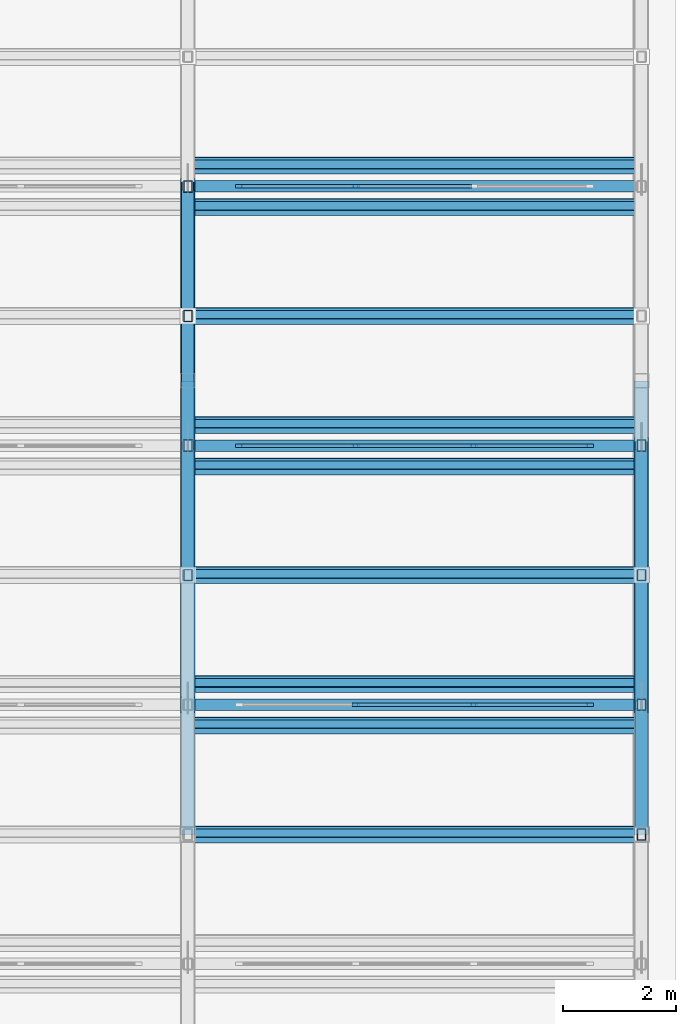
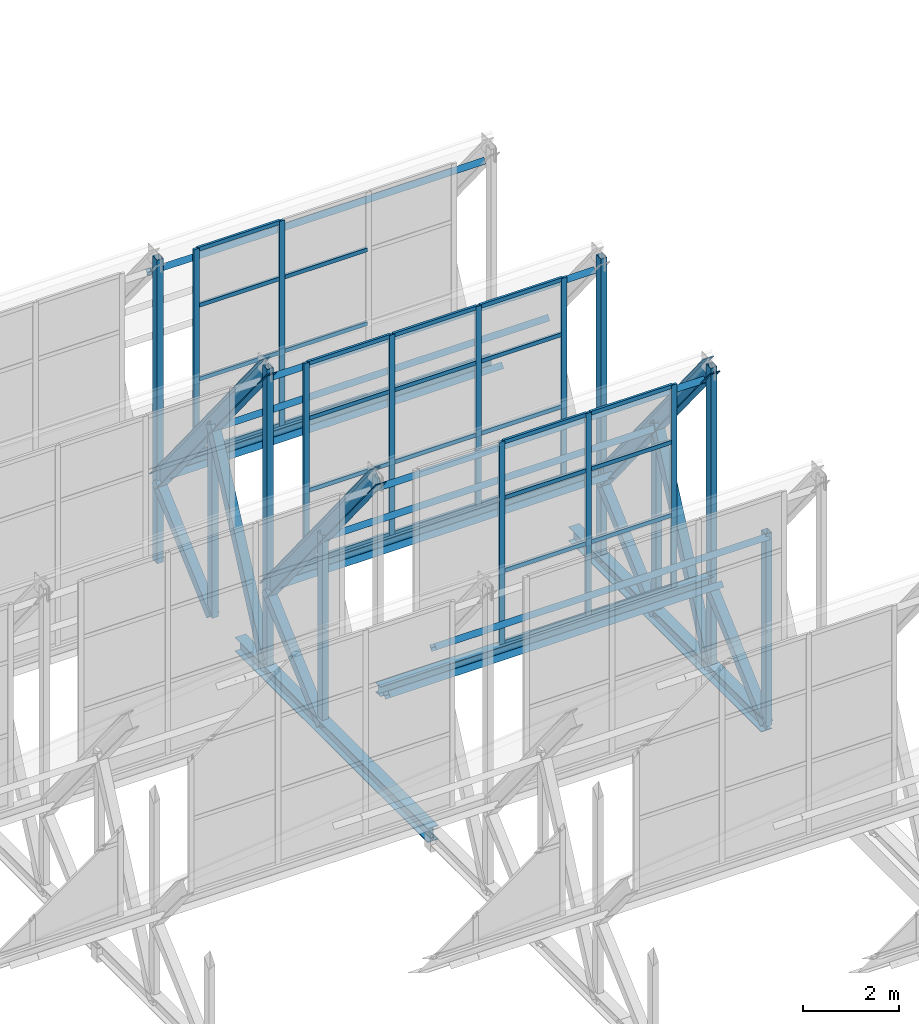
# One storey, part 21 of 34: 62 members, 5 beams, 3 elements without a shape of their own.
"""IFC4 building model written with IfcOpenShell, lengths in metres."""

from ifc_helpers import new_model, si_unit, direction, frame, origin, origin_2d, place, context, subcontext, project, spatial, rectangle, hollow_rectangle, i_section, extrude, material, layer, layer_set, material_profile, profile_set, type_object, element, aggregate, save


model = new_model("IFC4")

# Units and contexts
model_context = context("Model", 3, precision=1e-05, world=origin(), true_north=direction((0.0, 1.0)))
body_context = subcontext(model_context, "Body", "Model", "MODEL_VIEW")
ifc_project = project(units=[si_unit("LENGTHUNIT", "METRE"), si_unit("AREAUNIT", "SQUARE_METRE"), si_unit("VOLUMEUNIT", "CUBIC_METRE"), si_unit("PLANEANGLEUNIT", "RADIAN"), si_unit("MASSUNIT", "GRAM", prefix="KILO")], contexts=[model_context])

# Site, building, storey
site_placement = place(None, origin())
site = spatial("IfcSite", under=ifc_project, at=site_placement, CompositionType="ELEMENT")
building_placement = place(site_placement, origin())
building = spatial("IfcBuilding", under=site, at=building_placement, Name="Qorikala Patio Media Centre", CompositionType="ELEMENT")
storey_placement = place(building_placement, frame((0.0, 0.0, 32.699951171875)))
storey = spatial("IfcBuildingStorey", under=building, at=storey_placement, Name="RF", CompositionType="ELEMENT", Elevation=32.699951171875)

# Members
ifc_material_1 = material(Name="Steel S355", Category="steel")
ifc_material_profile_1 = material_profile(ifc_material_1, hollow_rectangle(XDim=0.219970703125, YDim=0.219970703125, WallThickness=0.010009765625, at=origin_2d()), Name="HSS220X220X10")
ifc_profile_set_1 = profile_set([ifc_material_profile_1], Name="Steel S355")
member_type_1 = type_object("IfcMemberType", Name="BRACE-HSS220", PredefinedType="BRACE", material=ifc_profile_set_1)
member_1_placement = place(storey_placement, frame((35.0, 23.5712890625, 0.35009765625), z_axis=(0.0, 0.744467225167, 0.667659007767), x_axis=(-1.0, 0.0, 0.0)))
element("IfcMember", 1, at=member_1_placement, inside=storey, type_object=member_type_1, Name="SAW-V1 Truss 5 Bay 5 Web Diagonal 2", PredefinedType="BRACE", context=body_context, shape_type="SweptSolid", body=[
    extrude(hollow_rectangle(XDim=0.219970703125, YDim=0.219970703125, WallThickness=0.010009765625, at=origin_2d()), origin(), (0.0, 0.0, 1.0), 3.070556640625),
])
member_2_placement = place(storey_placement, frame((35.0, 25.857177734375, 0.35009765625), z_axis=(0.0, 0.424508225487, 0.905424081022), x_axis=(-1.0, 0.0, 0.0)))
element("IfcMember", 2, at=member_2_placement, inside=storey, type_object=member_type_1, Name="SAW-V1 Truss 5 Bay 6 Web Diagonal 1", PredefinedType="BRACE", context=body_context, shape_type="SweptSolid", body=[
    extrude(hollow_rectangle(XDim=0.219970703125, YDim=0.219970703125, WallThickness=0.010009765625, at=origin_2d()), origin(), (0.0, 0.0, 1.0), 5.38427734375),
])
for number, where, z_axis, x_axis, name in (
    (3, (35.0, 28.142822265625, 0.35009765625), (0.0, 0.744431778243, 0.667698530432), (-1.0, 0.0, 0.0), "SAW-V1 Truss 5 Bay 6 Web Diagonal 2"),
    (4, (43.0, 19.0, 0.35009765625), (0.0, 0.744431778243, 0.667698530432), (-1.0, 0.0, 0.0), "SAW-V1 Truss 6 Bay 4 Web Diagonal 2"),
):
    element("IfcMember", number, at=place(storey_placement, frame(where, z_axis=z_axis, x_axis=x_axis)), inside=storey, type_object=member_type_1, Name=name, PredefinedType="BRACE", context=body_context, shape_type="SweptSolid", body=[
        extrude(hollow_rectangle(XDim=0.219970703125, YDim=0.219970703125, WallThickness=0.010009765625, at=origin_2d()), origin(), (0.0, 0.0, 1.0), 3.0703125),
    ])
member_3_placement = place(storey_placement, frame((43.0, 21.28564453125, 0.35009765625), z_axis=(0.0, 0.424508225487, 0.905424081022), x_axis=(-1.0, 0.0, 0.0)))
element("IfcMember", 5, at=member_3_placement, inside=storey, type_object=member_type_1, Name="SAW-V1 Truss 6 Bay 5 Web Diagonal 1", PredefinedType="BRACE", context=body_context, shape_type="SweptSolid", body=[
    extrude(hollow_rectangle(XDim=0.219970703125, YDim=0.219970703125, WallThickness=0.010009765625, at=origin_2d()), origin(), (0.0, 0.0, 1.0), 5.38427734375),
])
member_4_placement = place(storey_placement, frame((43.0, 23.5712890625, 0.35009765625), z_axis=(0.0, 0.744467225167, 0.667659007767), x_axis=(-1.0, 0.0, 0.0)))
element("IfcMember", 6, at=member_4_placement, inside=storey, type_object=member_type_1, Name="SAW-V1 Truss 6 Bay 5 Web Diagonal 2", PredefinedType="BRACE", context=body_context, shape_type="SweptSolid", body=[
    extrude(hollow_rectangle(XDim=0.219970703125, YDim=0.219970703125, WallThickness=0.010009765625, at=origin_2d()), origin(), (0.0, 0.0, 1.0), 3.070556640625),
])
ifc_material_profile_2 = material_profile(ifc_material_1, i_section(OverallWidth=0.257080078125, OverallDepth=0.363037109375, WebThickness=0.012939453125, FlangeThickness=0.021728515625, at=origin_2d()), Name="W360X122")
ifc_profile_set_2 = profile_set([ifc_material_profile_2], Name="Steel S355")
member_type_2 = type_object("IfcMemberType", Name="CHORD-W360X122", PredefinedType="CHORD", material=ifc_profile_set_2)
member_5_placement = place(storey_placement, frame((35.0, 21.28564453125, 8.050048828125), z_axis=(0.0, 0.629015570493, -0.777392701327), x_axis=(-1.0, 0.0, 0.0)))
element("IfcMember", 7, at=member_5_placement, inside=storey, type_object=member_type_2, Name="SAW-V1 Truss 5 Bay 5 Sloped Top Chord", PredefinedType="CHORD", context=body_context, shape_type="SweptSolid", body=[
    extrude(i_section(OverallWidth=0.257080078125, OverallDepth=0.363037109375, WebThickness=0.012939453125, FlangeThickness=0.021728515625, at=origin_2d()), origin(), (0.0, 0.0, 1.0), 7.267822265625),
])
member_6_placement = place(storey_placement, frame((35.0, 25.857177734375, 8.050048828125), z_axis=(0.0, 0.628995268707, -0.777409127773), x_axis=(-1.0, 0.0, 0.0)))
element("IfcMember", 8, at=member_6_placement, inside=storey, type_object=member_type_2, Name="SAW-V1 Truss 5 Bay 6 Sloped Top Chord", PredefinedType="CHORD", context=body_context, shape_type="SweptSolid", body=[
    extrude(i_section(OverallWidth=0.257080078125, OverallDepth=0.363037109375, WebThickness=0.012939453125, FlangeThickness=0.021728515625, at=origin_2d()), origin(), (0.0, 0.0, 1.0), 7.267578125),
])
member_7_placement = place(storey_placement, frame((43.0, 21.28564453125, 8.050048828125), z_axis=(0.0, 0.629015570493, -0.777392701327), x_axis=(-1.0, 0.0, 0.0)))
element("IfcMember", 9, at=member_7_placement, inside=storey, type_object=member_type_2, Name="SAW-V1 Truss 6 Bay 5 Sloped Top Chord", PredefinedType="CHORD", context=body_context, shape_type="SweptSolid", body=[
    extrude(i_section(OverallWidth=0.257080078125, OverallDepth=0.363037109375, WebThickness=0.012939453125, FlangeThickness=0.021728515625, at=origin_2d()), origin(), (0.0, 0.0, 1.0), 7.267822265625),
])

# Curtain wall, members
ifc_material_2 = material(Name="Bronze Anodised Aluminium and Low-E Glass", Category="aluminium")
ifc_layer_1 = layer(ifc_material_2, 0.159912109375)
ifc_layer_set_1 = layer_set([ifc_layer_1], Name="Bronze Anodised Aluminium and Low-E Glass")
curtain_wall_type_1 = type_object("IfcCurtainWallType", Name="CW-SAW-624X514", PredefinedType="USERDEFINED", material=ifc_layer_set_1)
curtain_wall_1_placement = place(storey_placement, origin())
curtain_wall_1 = element("IfcCurtainWall", 10, at=curtain_wall_1_placement, inside=storey, type_object=curtain_wall_type_1, Name="RF Sawtooth Glazing 131", ObjectType="SAWTOOTH GLAZING", PredefinedType="USERDEFINED")
ifc_material_3 = material(Name="Bronze Anodised Aluminium", Category="aluminium")
ifc_material_profile_3 = material_profile(ifc_material_3, rectangle(XDim=0.06005859375, YDim=0.1298828125, at=origin_2d()), Name="ALU MULLION 60x130")
ifc_profile_set_3 = profile_set([ifc_material_profile_3], Name="Bronze Anodised Aluminium")
member_type_3 = type_object("IfcMemberType", Name="CWM-60X130", PredefinedType="MULLION", material=ifc_profile_set_3)
member_8_placement = place(storey_placement, frame((37.9599609375, 21.28564453125, 2.75), z_axis=(0.0, 0.0, 1.0), x_axis=(0.0, 1.0, 0.0)))
member_8 = element("IfcMember", 11, at=member_8_placement, type_object=member_type_3, Name="CWS624514 mullion 2", PredefinedType="MULLION", context=body_context, shape_type="SweptSolid", body=[
    extrude(rectangle(XDim=0.06005859375, YDim=0.1298828125, at=origin_2d()), origin(), (0.0, 0.0, 1.0), 5.14013671875),
])
member_9_placement = place(storey_placement, frame((40.0400390625, 21.28564453125, 2.75), z_axis=(0.0, 0.0, 1.0), x_axis=(0.0, 1.0, 0.0)))
member_9 = element("IfcMember", 12, at=member_9_placement, type_object=member_type_3, Name="CWS624514 mullion 3", PredefinedType="MULLION", context=body_context, shape_type="SweptSolid", body=[
    extrude(rectangle(XDim=0.06005859375, YDim=0.1298828125, at=origin_2d()), origin(), (0.0, 0.0, 1.0), 5.14013671875),
])
member_10_placement = place(storey_placement, frame((42.090087890625, 21.28564453125, 2.75), z_axis=(0.0, 0.0, 1.0), x_axis=(0.0, 1.0, 0.0)))
member_10 = element("IfcMember", 13, at=member_10_placement, type_object=member_type_3, Name="CWS624514 mullion 4", PredefinedType="MULLION", context=body_context, shape_type="SweptSolid", body=[
    extrude(rectangle(XDim=0.06005859375, YDim=0.1298828125, at=origin_2d()), origin(), (0.0, 0.0, 1.0), 5.14013671875),
])

ifc_layer_2 = layer(ifc_material_2, 0.159912109375)
ifc_layer_set_2 = layer_set([ifc_layer_2], Name="Bronze Anodised Aluminium and Low-E Glass")
curtain_wall_type_2 = type_object("IfcCurtainWallType", Name="CW-SAW-624X508", PredefinedType="USERDEFINED", material=ifc_layer_set_2)
curtain_wall_2_placement = place(storey_placement, origin())
curtain_wall_2 = element("IfcCurtainWall", 14, at=curtain_wall_2_placement, inside=storey, type_object=curtain_wall_type_2, Name="RF Sawtooth Glazing 136", ObjectType="SAWTOOTH GLAZING", PredefinedType="USERDEFINED")
member_11_placement = place(storey_placement, frame((35.909912109375, 25.857177734375, 2.75), z_axis=(0.0, 0.0, 1.0), x_axis=(0.0, 1.0, 0.0)))
member_11 = element("IfcMember", 15, at=member_11_placement, type_object=member_type_3, Name="CWS624508 mullion 1", PredefinedType="MULLION", context=body_context, shape_type="SweptSolid", body=[
    extrude(rectangle(XDim=0.06005859375, YDim=0.1298828125, at=origin_2d()), origin(), (0.0, 0.0, 1.0), 5.080078125),
])
member_12_placement = place(storey_placement, frame((37.9599609375, 25.857177734375, 2.75), z_axis=(0.0, 0.0, 1.0), x_axis=(0.0, 1.0, 0.0)))
member_12 = element("IfcMember", 16, at=member_12_placement, type_object=member_type_3, Name="CWS624508 mullion 2", PredefinedType="MULLION", context=body_context, shape_type="SweptSolid", body=[
    extrude(rectangle(XDim=0.06005859375, YDim=0.1298828125, at=origin_2d()), origin(), (0.0, 0.0, 1.0), 5.080078125),
])
member_13_placement = place(storey_placement, frame((40.0400390625, 25.857177734375, 2.75), z_axis=(0.0, 0.0, 1.0), x_axis=(0.0, 1.0, 0.0)))
member_13 = element("IfcMember", 17, at=member_13_placement, type_object=member_type_3, Name="CWS624508 mullion 3", PredefinedType="MULLION", context=body_context, shape_type="SweptSolid", body=[
    extrude(rectangle(XDim=0.06005859375, YDim=0.1298828125, at=origin_2d()), origin(), (0.0, 0.0, 1.0), 5.080078125),
])
member_14_placement = place(storey_placement, frame((42.090087890625, 25.857177734375, 2.75), z_axis=(0.0, 0.0, 1.0), x_axis=(0.0, 1.0, 0.0)))
member_14 = element("IfcMember", 18, at=member_14_placement, type_object=member_type_3, Name="CWS624508 mullion 4", PredefinedType="MULLION", context=body_context, shape_type="SweptSolid", body=[
    extrude(rectangle(XDim=0.06005859375, YDim=0.1298828125, at=origin_2d()), origin(), (0.0, 0.0, 1.0), 5.080078125),
])

ifc_layer_3 = layer(ifc_material_2, 0.159912109375)
ifc_layer_set_3 = layer_set([ifc_layer_3], Name="Bronze Anodised Aluminium and Low-E Glass")
curtain_wall_type_3 = type_object("IfcCurtainWallType", Name="CW-SAW-624X520", PredefinedType="USERDEFINED", material=ifc_layer_set_3)
curtain_wall_3_placement = place(storey_placement, origin())
curtain_wall_3 = element("IfcCurtainWall", 19, at=curtain_wall_3_placement, inside=storey, type_object=curtain_wall_type_3, Name="RF Sawtooth Glazing 141", ObjectType="SAWTOOTH GLAZING", PredefinedType="USERDEFINED")
member_15_placement = place(storey_placement, frame((35.909912109375, 30.4287109375, 2.75), z_axis=(0.0, 0.0, 1.0), x_axis=(0.0, 1.0, 0.0)))
member_15 = element("IfcMember", 20, at=member_15_placement, type_object=member_type_3, Name="CWS624520 mullion 1", PredefinedType="MULLION", context=body_context, shape_type="SweptSolid", body=[
    extrude(rectangle(XDim=0.06005859375, YDim=0.1298828125, at=origin_2d()), origin(), (0.0, 0.0, 1.0), 5.199951171875),
])
member_16_placement = place(storey_placement, frame((37.9599609375, 30.4287109375, 2.75), z_axis=(0.0, 0.0, 1.0), x_axis=(0.0, 1.0, 0.0)))
member_16 = element("IfcMember", 21, at=member_16_placement, type_object=member_type_3, Name="CWS624520 mullion 2", PredefinedType="MULLION", context=body_context, shape_type="SweptSolid", body=[
    extrude(rectangle(XDim=0.06005859375, YDim=0.1298828125, at=origin_2d()), origin(), (0.0, 0.0, 1.0), 5.199951171875),
])

# Member
ifc_material_profile_4 = material_profile(ifc_material_3, rectangle(XDim=0.06005859375, YDim=0.10009765625, at=origin_2d()), Name="ALU TRANSOM 60x100")
ifc_profile_set_4 = profile_set([ifc_material_profile_4], Name="Bronze Anodised Aluminium")
member_type_4 = type_object("IfcMemberType", Name="CWT-60X100", PredefinedType="USERDEFINED", material=ifc_profile_set_4)
member_17_placement = place(storey_placement, frame((37.989990234375, 21.28564453125, 2.780029296875), z_axis=(1.0, 0.0, 0.0), x_axis=(0.0, 1.0, 0.0)))
member_17 = element("IfcMember", 22, at=member_17_placement, type_object=member_type_4, Name="CWS624514 transom 2.1", ObjectType="TRANSOM", PredefinedType="USERDEFINED", context=body_context, shape_type="SweptSolid", body=[
    extrude(rectangle(XDim=0.06005859375, YDim=0.10009765625, at=origin_2d()), origin(), (0.0, 0.0, 1.0), 2.02001953125),
])

member_18_placement = place(storey_placement, frame((37.989990234375, 21.28564453125, 4.600341796875), z_axis=(1.0, 0.0, 0.0), x_axis=(0.0, 1.0, 0.0)))
member_18 = element("IfcMember", 23, at=member_18_placement, type_object=member_type_4, Name="CWS624514 transom 2.2", ObjectType="TRANSOM", PredefinedType="USERDEFINED", context=body_context, shape_type="SweptSolid", body=[
    extrude(rectangle(XDim=0.06005859375, YDim=0.10009765625, at=origin_2d()), origin(), (0.0, 0.0, 1.0), 2.02001953125),
])

member_19_placement = place(storey_placement, frame((37.989990234375, 21.28564453125, 6.450927734375), z_axis=(1.0, 0.0, 0.0), x_axis=(0.0, 1.0, 0.0)))
member_19 = element("IfcMember", 24, at=member_19_placement, type_object=member_type_4, Name="CWS624514 transom 2.3", ObjectType="TRANSOM", PredefinedType="USERDEFINED", context=body_context, shape_type="SweptSolid", body=[
    extrude(rectangle(XDim=0.06005859375, YDim=0.10009765625, at=origin_2d()), origin(), (0.0, 0.0, 1.0), 2.02001953125),
])

member_20_placement = place(storey_placement, frame((37.989990234375, 21.28564453125, 7.860107421875), z_axis=(1.0, 0.0, 0.0), x_axis=(0.0, 1.0, 0.0)))
member_20 = element("IfcMember", 25, at=member_20_placement, type_object=member_type_4, Name="CWS624514 transom 2.4", ObjectType="TRANSOM", PredefinedType="USERDEFINED", context=body_context, shape_type="SweptSolid", body=[
    extrude(rectangle(XDim=0.06005859375, YDim=0.10009765625, at=origin_2d()), origin(), (0.0, 0.0, 1.0), 2.02001953125),
])

member_21_placement = place(storey_placement, frame((40.070068359375, 21.28564453125, 2.780029296875), z_axis=(1.0, 0.0, 0.0), x_axis=(0.0, 1.0, 0.0)))
member_21 = element("IfcMember", 26, at=member_21_placement, type_object=member_type_4, Name="CWS624514 transom 3.1", ObjectType="TRANSOM", PredefinedType="USERDEFINED", context=body_context, shape_type="SweptSolid", body=[
    extrude(rectangle(XDim=0.06005859375, YDim=0.10009765625, at=origin_2d()), origin(), (0.0, 0.0, 1.0), 1.989990234375),
])

member_22_placement = place(storey_placement, frame((40.070068359375, 21.28564453125, 4.600341796875), z_axis=(1.0, 0.0, 0.0), x_axis=(0.0, 1.0, 0.0)))
member_22 = element("IfcMember", 27, at=member_22_placement, type_object=member_type_4, Name="CWS624514 transom 3.2", ObjectType="TRANSOM", PredefinedType="USERDEFINED", context=body_context, shape_type="SweptSolid", body=[
    extrude(rectangle(XDim=0.06005859375, YDim=0.10009765625, at=origin_2d()), origin(), (0.0, 0.0, 1.0), 1.989990234375),
])

member_23_placement = place(storey_placement, frame((40.070068359375, 21.28564453125, 6.450927734375), z_axis=(1.0, 0.0, 0.0), x_axis=(0.0, 1.0, 0.0)))
member_23 = element("IfcMember", 28, at=member_23_placement, type_object=member_type_4, Name="CWS624514 transom 3.3", ObjectType="TRANSOM", PredefinedType="USERDEFINED", context=body_context, shape_type="SweptSolid", body=[
    extrude(rectangle(XDim=0.06005859375, YDim=0.10009765625, at=origin_2d()), origin(), (0.0, 0.0, 1.0), 1.989990234375),
])

member_24_placement = place(storey_placement, frame((40.070068359375, 21.28564453125, 7.860107421875), z_axis=(1.0, 0.0, 0.0), x_axis=(0.0, 1.0, 0.0)))
member_24 = element("IfcMember", 29, at=member_24_placement, type_object=member_type_4, Name="CWS624514 transom 3.4", ObjectType="TRANSOM", PredefinedType="USERDEFINED", context=body_context, shape_type="SweptSolid", body=[
    extrude(rectangle(XDim=0.06005859375, YDim=0.10009765625, at=origin_2d()), origin(), (0.0, 0.0, 1.0), 1.989990234375),
])

aggregate(curtain_wall_1, [member_8, member_9, member_10, member_17, member_18, member_19, member_20, member_21, member_22, member_23, member_24])

member_25_placement = place(storey_placement, frame((35.93994140625, 25.857177734375, 2.780029296875), z_axis=(1.0, 0.0, 0.0), x_axis=(0.0, 1.0, 0.0)))
member_25 = element("IfcMember", 30, at=member_25_placement, type_object=member_type_4, Name="CWS624508 transom 1.1", ObjectType="TRANSOM", PredefinedType="USERDEFINED", context=body_context, shape_type="SweptSolid", body=[
    extrude(rectangle(XDim=0.06005859375, YDim=0.10009765625, at=origin_2d()), origin(), (0.0, 0.0, 1.0), 1.989990234375),
])

member_26_placement = place(storey_placement, frame((35.93994140625, 25.857177734375, 4.578857421875), z_axis=(1.0, 0.0, 0.0), x_axis=(0.0, 1.0, 0.0)))
member_26 = element("IfcMember", 31, at=member_26_placement, type_object=member_type_4, Name="CWS624508 transom 1.2", ObjectType="TRANSOM", PredefinedType="USERDEFINED", context=body_context, shape_type="SweptSolid", body=[
    extrude(rectangle(XDim=0.06005859375, YDim=0.10009765625, at=origin_2d()), origin(), (0.0, 0.0, 1.0), 1.989990234375),
])

member_27_placement = place(storey_placement, frame((35.93994140625, 25.857177734375, 6.40771484375), z_axis=(1.0, 0.0, 0.0), x_axis=(0.0, 1.0, 0.0)))
member_27 = element("IfcMember", 32, at=member_27_placement, type_object=member_type_4, Name="CWS624508 transom 1.3", ObjectType="TRANSOM", PredefinedType="USERDEFINED", context=body_context, shape_type="SweptSolid", body=[
    extrude(rectangle(XDim=0.06005859375, YDim=0.10009765625, at=origin_2d()), origin(), (0.0, 0.0, 1.0), 1.989990234375),
])

member_28_placement = place(storey_placement, frame((35.93994140625, 25.857177734375, 7.800048828125), z_axis=(1.0, 0.0, 0.0), x_axis=(0.0, 1.0, 0.0)))
member_28 = element("IfcMember", 33, at=member_28_placement, type_object=member_type_4, Name="CWS624508 transom 1.4", ObjectType="TRANSOM", PredefinedType="USERDEFINED", context=body_context, shape_type="SweptSolid", body=[
    extrude(rectangle(XDim=0.06005859375, YDim=0.10009765625, at=origin_2d()), origin(), (0.0, 0.0, 1.0), 1.989990234375),
])

member_29_placement = place(storey_placement, frame((37.989990234375, 25.857177734375, 2.780029296875), z_axis=(1.0, 0.0, 0.0), x_axis=(0.0, 1.0, 0.0)))
member_29 = element("IfcMember", 34, at=member_29_placement, type_object=member_type_4, Name="CWS624508 transom 2.1", ObjectType="TRANSOM", PredefinedType="USERDEFINED", context=body_context, shape_type="SweptSolid", body=[
    extrude(rectangle(XDim=0.06005859375, YDim=0.10009765625, at=origin_2d()), origin(), (0.0, 0.0, 1.0), 2.02001953125),
])

member_30_placement = place(storey_placement, frame((37.989990234375, 25.857177734375, 4.578857421875), z_axis=(1.0, 0.0, 0.0), x_axis=(0.0, 1.0, 0.0)))
member_30 = element("IfcMember", 35, at=member_30_placement, type_object=member_type_4, Name="CWS624508 transom 2.2", ObjectType="TRANSOM", PredefinedType="USERDEFINED", context=body_context, shape_type="SweptSolid", body=[
    extrude(rectangle(XDim=0.06005859375, YDim=0.10009765625, at=origin_2d()), origin(), (0.0, 0.0, 1.0), 2.02001953125),
])

member_31_placement = place(storey_placement, frame((37.989990234375, 25.857177734375, 6.40771484375), z_axis=(1.0, 0.0, 0.0), x_axis=(0.0, 1.0, 0.0)))
member_31 = element("IfcMember", 36, at=member_31_placement, type_object=member_type_4, Name="CWS624508 transom 2.3", ObjectType="TRANSOM", PredefinedType="USERDEFINED", context=body_context, shape_type="SweptSolid", body=[
    extrude(rectangle(XDim=0.06005859375, YDim=0.10009765625, at=origin_2d()), origin(), (0.0, 0.0, 1.0), 2.02001953125),
])

member_32_placement = place(storey_placement, frame((37.989990234375, 25.857177734375, 7.800048828125), z_axis=(1.0, 0.0, 0.0), x_axis=(0.0, 1.0, 0.0)))
member_32 = element("IfcMember", 37, at=member_32_placement, type_object=member_type_4, Name="CWS624508 transom 2.4", ObjectType="TRANSOM", PredefinedType="USERDEFINED", context=body_context, shape_type="SweptSolid", body=[
    extrude(rectangle(XDim=0.06005859375, YDim=0.10009765625, at=origin_2d()), origin(), (0.0, 0.0, 1.0), 2.02001953125),
])

member_33_placement = place(storey_placement, frame((40.070068359375, 25.857177734375, 2.780029296875), z_axis=(1.0, 0.0, 0.0), x_axis=(0.0, 1.0, 0.0)))
member_33 = element("IfcMember", 38, at=member_33_placement, type_object=member_type_4, Name="CWS624508 transom 3.1", ObjectType="TRANSOM", PredefinedType="USERDEFINED", context=body_context, shape_type="SweptSolid", body=[
    extrude(rectangle(XDim=0.06005859375, YDim=0.10009765625, at=origin_2d()), origin(), (0.0, 0.0, 1.0), 1.989990234375),
])

member_34_placement = place(storey_placement, frame((40.070068359375, 25.857177734375, 4.578857421875), z_axis=(1.0, 0.0, 0.0), x_axis=(0.0, 1.0, 0.0)))
member_34 = element("IfcMember", 39, at=member_34_placement, type_object=member_type_4, Name="CWS624508 transom 3.2", ObjectType="TRANSOM", PredefinedType="USERDEFINED", context=body_context, shape_type="SweptSolid", body=[
    extrude(rectangle(XDim=0.06005859375, YDim=0.10009765625, at=origin_2d()), origin(), (0.0, 0.0, 1.0), 1.989990234375),
])

member_35_placement = place(storey_placement, frame((40.070068359375, 25.857177734375, 6.40771484375), z_axis=(1.0, 0.0, 0.0), x_axis=(0.0, 1.0, 0.0)))
member_35 = element("IfcMember", 40, at=member_35_placement, type_object=member_type_4, Name="CWS624508 transom 3.3", ObjectType="TRANSOM", PredefinedType="USERDEFINED", context=body_context, shape_type="SweptSolid", body=[
    extrude(rectangle(XDim=0.06005859375, YDim=0.10009765625, at=origin_2d()), origin(), (0.0, 0.0, 1.0), 1.989990234375),
])

member_36_placement = place(storey_placement, frame((40.070068359375, 25.857177734375, 7.800048828125), z_axis=(1.0, 0.0, 0.0), x_axis=(0.0, 1.0, 0.0)))
member_36 = element("IfcMember", 41, at=member_36_placement, type_object=member_type_4, Name="CWS624508 transom 3.4", ObjectType="TRANSOM", PredefinedType="USERDEFINED", context=body_context, shape_type="SweptSolid", body=[
    extrude(rectangle(XDim=0.06005859375, YDim=0.10009765625, at=origin_2d()), origin(), (0.0, 0.0, 1.0), 1.989990234375),
])

aggregate(curtain_wall_2, [member_11, member_12, member_13, member_14, member_25, member_26, member_27, member_28, member_29, member_30, member_31, member_32, member_33, member_34, member_35, member_36])

member_37_placement = place(storey_placement, frame((35.93994140625, 30.4287109375, 2.780029296875), z_axis=(1.0, 0.0, 0.0), x_axis=(0.0, 1.0, 0.0)))
member_37 = element("IfcMember", 42, at=member_37_placement, type_object=member_type_4, Name="CWS624520 transom 1.1", ObjectType="TRANSOM", PredefinedType="USERDEFINED", context=body_context, shape_type="SweptSolid", body=[
    extrude(rectangle(XDim=0.06005859375, YDim=0.10009765625, at=origin_2d()), origin(), (0.0, 0.0, 1.0), 1.989990234375),
])

member_38_placement = place(storey_placement, frame((35.93994140625, 30.4287109375, 4.6220703125), z_axis=(1.0, 0.0, 0.0), x_axis=(0.0, 1.0, 0.0)))
member_38 = element("IfcMember", 43, at=member_38_placement, type_object=member_type_4, Name="CWS624520 transom 1.2", ObjectType="TRANSOM", PredefinedType="USERDEFINED", context=body_context, shape_type="SweptSolid", body=[
    extrude(rectangle(XDim=0.06005859375, YDim=0.10009765625, at=origin_2d()), origin(), (0.0, 0.0, 1.0), 1.989990234375),
])

member_39_placement = place(storey_placement, frame((35.93994140625, 30.4287109375, 6.494140625), z_axis=(1.0, 0.0, 0.0), x_axis=(0.0, 1.0, 0.0)))
member_39 = element("IfcMember", 44, at=member_39_placement, type_object=member_type_4, Name="CWS624520 transom 1.3", ObjectType="TRANSOM", PredefinedType="USERDEFINED", context=body_context, shape_type="SweptSolid", body=[
    extrude(rectangle(XDim=0.06005859375, YDim=0.10009765625, at=origin_2d()), origin(), (0.0, 0.0, 1.0), 1.989990234375),
])

member_40_placement = place(storey_placement, frame((35.93994140625, 30.4287109375, 7.920166015625), z_axis=(1.0, 0.0, 0.0), x_axis=(0.0, 1.0, 0.0)))
member_40 = element("IfcMember", 45, at=member_40_placement, type_object=member_type_4, Name="CWS624520 transom 1.4", ObjectType="TRANSOM", PredefinedType="USERDEFINED", context=body_context, shape_type="SweptSolid", body=[
    extrude(rectangle(XDim=0.06005859375, YDim=0.10009765625, at=origin_2d()), origin(), (0.0, 0.0, 1.0), 1.989990234375),
])

member_41_placement = place(storey_placement, frame((37.989990234375, 30.4287109375, 2.780029296875), z_axis=(1.0, 0.0, 0.0), x_axis=(0.0, 1.0, 0.0)))
member_41 = element("IfcMember", 46, at=member_41_placement, type_object=member_type_4, Name="CWS624520 transom 2.1", ObjectType="TRANSOM", PredefinedType="USERDEFINED", context=body_context, shape_type="SweptSolid", body=[
    extrude(rectangle(XDim=0.06005859375, YDim=0.10009765625, at=origin_2d()), origin(), (0.0, 0.0, 1.0), 2.02001953125),
])

member_42_placement = place(storey_placement, frame((37.989990234375, 30.4287109375, 4.6220703125), z_axis=(1.0, 0.0, 0.0), x_axis=(0.0, 1.0, 0.0)))
member_42 = element("IfcMember", 47, at=member_42_placement, type_object=member_type_4, Name="CWS624520 transom 2.2", ObjectType="TRANSOM", PredefinedType="USERDEFINED", context=body_context, shape_type="SweptSolid", body=[
    extrude(rectangle(XDim=0.06005859375, YDim=0.10009765625, at=origin_2d()), origin(), (0.0, 0.0, 1.0), 2.02001953125),
])

member_43_placement = place(storey_placement, frame((37.989990234375, 30.4287109375, 6.494140625), z_axis=(1.0, 0.0, 0.0), x_axis=(0.0, 1.0, 0.0)))
member_43 = element("IfcMember", 48, at=member_43_placement, type_object=member_type_4, Name="CWS624520 transom 2.3", ObjectType="TRANSOM", PredefinedType="USERDEFINED", context=body_context, shape_type="SweptSolid", body=[
    extrude(rectangle(XDim=0.06005859375, YDim=0.10009765625, at=origin_2d()), origin(), (0.0, 0.0, 1.0), 2.02001953125),
])

aggregate(curtain_wall_3, [member_15, member_16, member_37, member_38, member_39, member_40, member_41, member_42, member_43])

# Members
ifc_material_profile_5 = material_profile(ifc_material_1, i_section(OverallWidth=0.14794921875, OverallDepth=0.26611328125, WebThickness=0.007568359375, FlangeThickness=0.012939453125, at=origin_2d()), Name="W250X45")
ifc_profile_set_5 = profile_set([ifc_material_profile_5], Name="Steel S355")
member_type_5 = type_object("IfcMemberType", Name="PURLIN-W250X45", PredefinedType="PURLIN", material=ifc_profile_set_5)
for number, where, z_axis, x_axis, name in (
    (49, (35.0, 19.0, 5.077392578125), (1.0, 0.0, 0.0), (0.0, 0.62899480571, 0.777409502379), "SAW-V1 Bay 4 Roof Purlin"),
    (50, (35.0, 20.919921875, 2.704345703125), (1.0, 0.0, 0.0), (0.0, 0.62899480571, 0.777409502379), "SAW-V1 Bay 4 Roof Purlin"),
    (51, (35.0, 21.6513671875, 7.450439453125), (1.0, 0.0, 0.0), (0.0, 0.62899480571, 0.777409502379), "SAW-V1 Bay 5 Roof Purlin"),
    (52, (35.0, 23.5712890625, 5.077392578125), (1.0, 0.0, 0.0), (0.0, 0.62899480571, 0.777409502379), "SAW-V1 Bay 5 Roof Purlin"),
    (53, (35.0, 25.491455078125, 2.704345703125), (1.0, 0.0, 0.0), (0.0, 0.62899480571, 0.777409502379), "SAW-V1 Bay 5 Roof Purlin"),
    (54, (35.0, 26.222900390625, 7.450439453125), (1.0, 0.0, 0.0), (0.0, 0.62899480571, 0.777409502379), "SAW-V1 Bay 6 Roof Purlin"),
    (55, (35.0, 28.142822265625, 5.077392578125), (1.0, 0.0, 0.0), (0.0, 0.62899480571, 0.777409502379), "SAW-V1 Bay 6 Roof Purlin"),
    (56, (35.0, 30.062744140625, 2.704345703125), (1.0, 0.0, 0.0), (0.0, 0.62899480571, 0.777409502379), "SAW-V1 Bay 6 Roof Purlin"),
    (57, (35.0, 30.794189453125, 7.450439453125), (1.0, 0.0, 0.0), (0.0, 0.62899480571, 0.777409502379), "SAW-V1 Bay 7 Roof Purlin"),
):
    element("IfcMember", number, at=place(storey_placement, frame(where, z_axis=z_axis, x_axis=x_axis)), inside=storey, type_object=member_type_5, Name=name, PredefinedType="PURLIN", context=body_context, shape_type="SweptSolid", body=[
        extrude(i_section(OverallWidth=0.14794921875, OverallDepth=0.26611328125, WebThickness=0.007568359375, FlangeThickness=0.012939453125, at=origin_2d()), origin(), (0.0, 0.0, 1.0), 8.0),
    ])

# Beams
ifc_material_profile_6 = material_profile(ifc_material_1, i_section(OverallWidth=0.202880859375, OverallDepth=0.251953125, WebThickness=0.008056640625, FlangeThickness=0.013427734375, at=origin_2d()), Name="W250X58")
ifc_profile_set_6 = profile_set([ifc_material_profile_6], Name="Steel S355")
beam_type_1 = type_object("IfcBeamType", Name="SBM-W250X58", PredefinedType="BEAM", material=ifc_profile_set_6)
for number, where, z_axis, x_axis, name in (
    (58, (35.0, 21.28564453125, 2.625), (1.0, 0.0, 0.0), (0.0, 1.0, 0.0), "Sawtooth V1 Clerestory Sill Beam 5.5"),
    (59, (35.0, 25.857177734375, 2.625), (1.0, 0.0, 0.0), (0.0, 1.0, 0.0), "Sawtooth V1 Clerestory Sill Beam 6.5"),
    (60, (35.0, 30.4287109375, 2.625), (1.0, 0.0, 0.0), (0.0, 1.0, 0.0), "Sawtooth V1 Clerestory Sill Beam 7.5"),
):
    element("IfcBeam", number, at=place(storey_placement, frame(where, z_axis=z_axis, x_axis=x_axis)), inside=storey, type_object=beam_type_1, Name=name, PredefinedType="BEAM", context=body_context, shape_type="SweptSolid", body=[
        extrude(i_section(OverallWidth=0.202880859375, OverallDepth=0.251953125, WebThickness=0.008056640625, FlangeThickness=0.013427734375, at=origin_2d()), origin(), (0.0, 0.0, 1.0), 8.0),
    ])
ifc_material_profile_7 = material_profile(ifc_material_1, i_section(OverallWidth=0.257080078125, OverallDepth=0.363037109375, WebThickness=0.012939453125, FlangeThickness=0.021728515625, at=origin_2d()), Name="W360X122")
ifc_profile_set_7 = profile_set([ifc_material_profile_7], Name="Steel S355")
beam_type_2 = type_object("IfcBeamType", Name="SBM-W360X122", PredefinedType="BEAM", material=ifc_profile_set_7)
for number, where, z_axis, x_axis, name in (
    (61, (35.0, 19.0, 0.35009765625), (0.0, 1.0, 0.0), (-1.0, 0.0, 0.0), "SAW-V1 Longitudinal Truss Tie Girder X=35"),
    (62, (43.0, 19.0, 0.35009765625), (0.0, 1.0, 0.0), (-1.0, 0.0, 0.0), "SAW-V1 Longitudinal Truss Tie Girder X=43"),
):
    element("IfcBeam", number, at=place(storey_placement, frame(where, z_axis=z_axis, x_axis=x_axis)), inside=storey, type_object=beam_type_2, Name=name, PredefinedType="BEAM", context=body_context, shape_type="SweptSolid", body=[
        extrude(i_section(OverallWidth=0.257080078125, OverallDepth=0.363037109375, WebThickness=0.012939453125, FlangeThickness=0.021728515625, at=origin_2d()), origin(), (0.0, 0.0, 1.0), 8.0),
    ])

# Members
ifc_material_profile_8 = material_profile(ifc_material_1, hollow_rectangle(XDim=0.14990234375, YDim=0.199951171875, WallThickness=0.008056640625, at=origin_2d()), Name="HSS200X150X8")
ifc_profile_set_8 = profile_set([ifc_material_profile_8], Name="Steel S355")
member_type_6 = type_object("IfcMemberType", Name="STRUT-HSS200", PredefinedType="STRUT", material=ifc_profile_set_8)
member_44_placement = place(storey_placement, frame((35.0, 23.5712890625, 0.35009765625), z_axis=(0.0, 0.0, 1.0), x_axis=(1.0, 0.0, 0.0)))
element("IfcMember", 63, at=member_44_placement, inside=storey, type_object=member_type_6, Name="SAW-V1 Truss 5 Bay 5 Mid Strut", PredefinedType="STRUT", context=body_context, shape_type="SweptSolid", body=[
    extrude(hollow_rectangle(XDim=0.14990234375, YDim=0.199951171875, WallThickness=0.008056640625, at=origin_2d()), origin(), (0.0, 0.0, 1.0), 4.875),
])
member_45_placement = place(storey_placement, frame((35.0, 25.857177734375, 0.35009765625), z_axis=(0.0, 0.0, 1.0), x_axis=(1.0, 0.0, 0.0)))
element("IfcMember", 64, at=member_45_placement, inside=storey, type_object=member_type_6, Name="SAW-V1 Truss 5 Bay 6 Clerestory Post", PredefinedType="STRUT", context=body_context, shape_type="SweptSolid", body=[
    extrude(hollow_rectangle(XDim=0.14990234375, YDim=0.199951171875, WallThickness=0.008056640625, at=origin_2d()), origin(), (0.0, 0.0, 1.0), 7.699951171875),
])
member_46_placement = place(storey_placement, frame((35.0, 28.142822265625, 0.35009765625), z_axis=(0.0, 0.0, 1.0), x_axis=(1.0, 0.0, 0.0)))
element("IfcMember", 65, at=member_46_placement, inside=storey, type_object=member_type_6, Name="SAW-V1 Truss 5 Bay 6 Mid Strut", PredefinedType="STRUT", context=body_context, shape_type="SweptSolid", body=[
    extrude(hollow_rectangle(XDim=0.14990234375, YDim=0.199951171875, WallThickness=0.008056640625, at=origin_2d()), origin(), (0.0, 0.0, 1.0), 4.875),
])
member_47_placement = place(storey_placement, frame((35.0, 30.4287109375, 0.35009765625), z_axis=(0.0, 0.0, 1.0), x_axis=(1.0, 0.0, 0.0)))
element("IfcMember", 66, at=member_47_placement, inside=storey, type_object=member_type_6, Name="SAW-V1 Truss 5 Bay 7 Clerestory Post", PredefinedType="STRUT", context=body_context, shape_type="SweptSolid", body=[
    extrude(hollow_rectangle(XDim=0.14990234375, YDim=0.199951171875, WallThickness=0.008056640625, at=origin_2d()), origin(), (0.0, 0.0, 1.0), 7.699951171875),
])
member_48_placement = place(storey_placement, frame((43.0, 19.0, 0.35009765625), z_axis=(0.0, 0.0, 1.0), x_axis=(1.0, 0.0, 0.0)))
element("IfcMember", 67, at=member_48_placement, inside=storey, type_object=member_type_6, Name="SAW-V1 Truss 6 Bay 4 Mid Strut", PredefinedType="STRUT", context=body_context, shape_type="SweptSolid", body=[
    extrude(hollow_rectangle(XDim=0.14990234375, YDim=0.199951171875, WallThickness=0.008056640625, at=origin_2d()), origin(), (0.0, 0.0, 1.0), 4.875),
])
member_49_placement = place(storey_placement, frame((43.0, 21.28564453125, 0.35009765625), z_axis=(0.0, 0.0, 1.0), x_axis=(1.0, 0.0, 0.0)))
element("IfcMember", 68, at=member_49_placement, inside=storey, type_object=member_type_6, Name="SAW-V1 Truss 6 Bay 5 Clerestory Post", PredefinedType="STRUT", context=body_context, shape_type="SweptSolid", body=[
    extrude(hollow_rectangle(XDim=0.14990234375, YDim=0.199951171875, WallThickness=0.008056640625, at=origin_2d()), origin(), (0.0, 0.0, 1.0), 7.699951171875),
])
member_50_placement = place(storey_placement, frame((43.0, 23.5712890625, 0.35009765625), z_axis=(0.0, 0.0, 1.0), x_axis=(1.0, 0.0, 0.0)))
element("IfcMember", 69, at=member_50_placement, inside=storey, type_object=member_type_6, Name="SAW-V1 Truss 6 Bay 5 Mid Strut", PredefinedType="STRUT", context=body_context, shape_type="SweptSolid", body=[
    extrude(hollow_rectangle(XDim=0.14990234375, YDim=0.199951171875, WallThickness=0.008056640625, at=origin_2d()), origin(), (0.0, 0.0, 1.0), 4.875),
])
member_51_placement = place(storey_placement, frame((43.0, 25.857177734375, 0.35009765625), z_axis=(0.0, 0.0, 1.0), x_axis=(1.0, 0.0, 0.0)))
element("IfcMember", 70, at=member_51_placement, inside=storey, type_object=member_type_6, Name="SAW-V1 Truss 6 Bay 6 Clerestory Post", PredefinedType="STRUT", context=body_context, shape_type="SweptSolid", body=[
    extrude(hollow_rectangle(XDim=0.14990234375, YDim=0.199951171875, WallThickness=0.008056640625, at=origin_2d()), origin(), (0.0, 0.0, 1.0), 7.699951171875),
])

save(model, "model.ifc")
